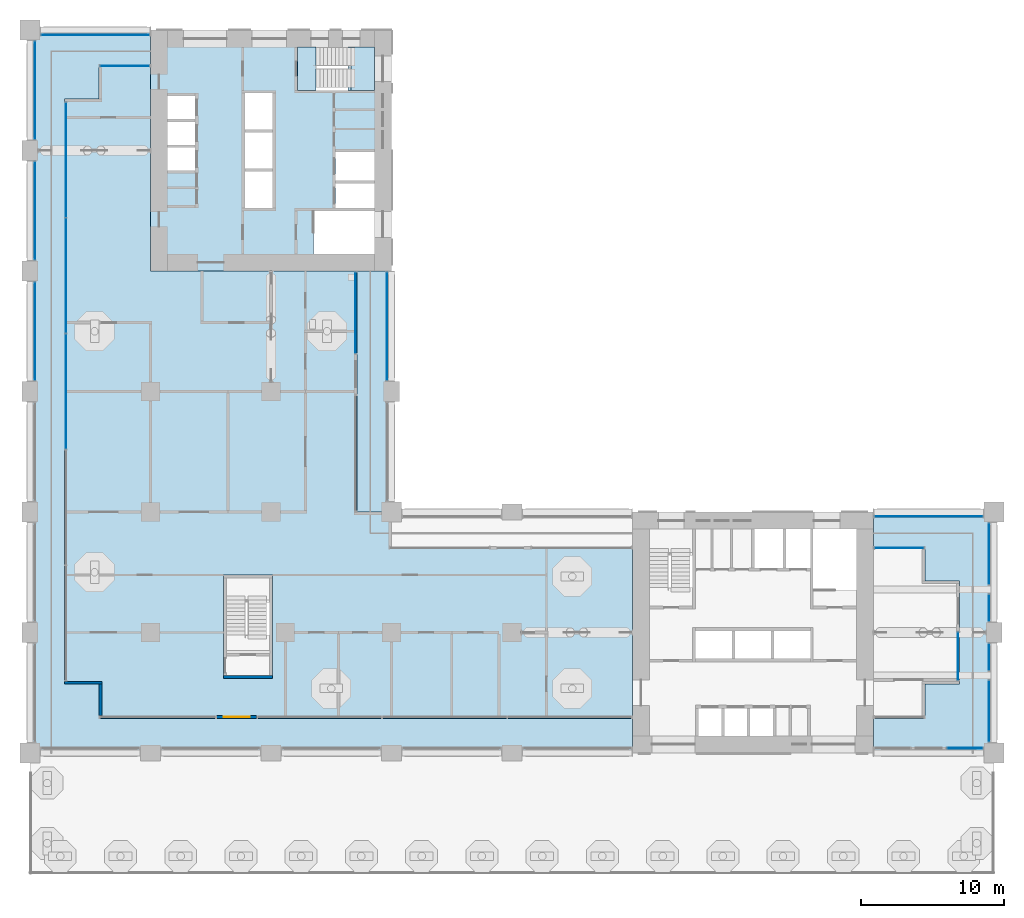
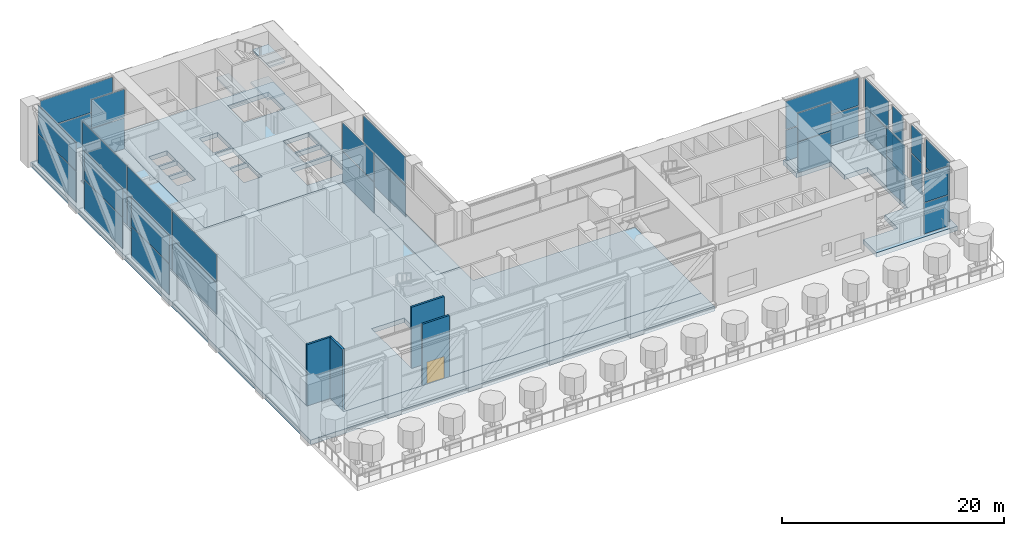
# One storey, part 9 of 28: 36 plates, 8 slabs, 4 walls, 1 door, 1 opening, 17 elements without a shape of their own.
"""IFC4 building model written with IfcOpenShell, lengths in metres."""

from ifc_helpers import new_model, si_unit, direction, frame, frame_2d, origin, origin_2d, place, context, subcontext, project, spatial, polyline, rectangle, outline, extrude, material, layer, layer_set, type_object, element, fill, aggregate, save


model = new_model("IFC4")

# Units and contexts
model_context = context("Model", 3, precision=1e-05, world=origin(), true_north=direction((0.0, 1.0)))
body_context = subcontext(model_context, "Body", "Model", "MODEL_VIEW")
ifc_project = project(units=[si_unit("LENGTHUNIT", "METRE"), si_unit("AREAUNIT", "SQUARE_METRE"), si_unit("VOLUMEUNIT", "CUBIC_METRE"), si_unit("PLANEANGLEUNIT", "RADIAN"), si_unit("MASSUNIT", "GRAM", prefix="KILO")], contexts=[model_context])

# Site, building, storey
site_placement = place(None, origin())
site = spatial("IfcSite", under=ifc_project, at=site_placement, CompositionType="ELEMENT")
building_placement = place(site_placement, origin())
building = spatial("IfcBuilding", under=site, at=building_placement, Name="Vermilion Gate Residences", CompositionType="ELEMENT")
storey_placement = place(building_placement, frame((0.0, 0.0, 74.199951171875)))
storey = spatial("IfcBuildingStorey", under=building, at=storey_placement, Name="L18", CompositionType="ELEMENT", Elevation=74.199951171875)

# Slabs
ifc_material_1 = material(Name="Concrete C50", Category="concrete")
ifc_layer_1 = layer(ifc_material_1, 0.5)
ifc_layer_set_1 = layer_set([ifc_layer_1], Name="RC CORE FLOOR SLAB 500 C50")
slab_type_1 = type_object("IfcSlabType", Name="RC CORE FLOOR SLAB 500 C50", PredefinedType="FLOOR", material=ifc_layer_set_1)
slab_1_placement = place(storey_placement, frame((0.0, 0.0, -0.5)))
element("IfcSlab", 1, at=slab_1_placement, inside=storey, type_object=slab_type_1, Name="Core floor slab B18", PredefinedType="FLOOR", context=body_context, shape_type="SweptSolid", body=[
    extrude(outline(polyline([(8.39990234375, 42.0), (25.199951171875, 42.0), (25.199951171875, 58.800048828125), (8.39990234375, 58.800048828125), (8.39990234375, 42.0)]), holes=[polyline([(19.75, 46.199951171875), (24.0, 46.199951171875), (24.0, 43.199951171875), (19.75, 43.199951171875), (19.75, 46.199951171875)]), polyline([(21.300048828125, 48.10009765625), (24.0, 48.10009765625), (24.0, 46.39990234375), (21.300048828125, 46.39990234375), (21.300048828125, 48.10009765625)]), polyline([(15.0, 48.933349609375), (16.89990234375, 48.933349609375), (16.89990234375, 46.39990234375), (15.0, 46.39990234375), (15.0, 48.933349609375)]), polyline([(24.0, 50.300048828125), (24.0, 48.300048828125), (21.300048828125, 48.300048828125), (21.300048828125, 50.300048828125), (24.0, 50.300048828125)]), polyline([(11.5, 50.60009765625), (11.5, 49.0), (9.60009765625, 49.0), (9.60009765625, 50.60009765625), (11.5, 50.60009765625)]), polyline([(15.0, 51.666748046875), (16.89990234375, 51.666748046875), (16.89990234375, 49.13330078125), (15.0, 49.13330078125), (15.0, 51.666748046875)]), polyline([(9.60009765625, 52.39990234375), (11.5, 52.39990234375), (11.5, 50.800048828125), (9.60009765625, 50.800048828125), (9.60009765625, 52.39990234375)]), polyline([(15.0, 54.39990234375), (16.89990234375, 54.39990234375), (16.89990234375, 51.86669921875), (15.0, 51.86669921875), (15.0, 54.39990234375)]), polyline([(11.5, 54.199951171875), (11.5, 52.60009765625), (9.60009765625, 52.60009765625), (9.60009765625, 54.199951171875), (11.5, 54.199951171875)]), polyline([(24.0, 57.60009765625), (24.0, 54.60009765625), (19.75, 54.60009765625), (19.75, 57.60009765625), (24.0, 57.60009765625)])]), origin(), (0.0, 0.0, 1.0), 0.5),
])
ifc_material_2 = material(Name="Concrete C60 red-oxide pigmented", Category="concrete")
ifc_layer_2 = layer(ifc_material_2, 0.5)
ifc_layer_set_2 = layer_set([ifc_layer_2], Name="RC LOGGIA SLAB 500 C60")
slab_type_2 = type_object("IfcSlabType", Name="RC LOGGIA SLAB 500 C60", PredefinedType="FLOOR", material=ifc_layer_set_2)
slab_2_placement = place(storey_placement, frame((0.0, 0.0, -0.5)))
element("IfcSlab", 2, at=slab_2_placement, inside=storey, type_object=slab_type_2, Name="Loggia slab L18", PredefinedType="FLOOR", context=body_context, shape_type="SweptSolid", body=[
    extrude(outline(polyline([(0.0, 58.800048828125), (0.0, 8.39990234375), (42.0, 8.39990234375), (42.0, 10.800048828125), (4.800048828125, 10.800048828125), (4.800048828125, 13.199951171875), (2.39990234375, 13.199951171875), (2.39990234375, 54.0), (4.800048828125, 54.0), (4.800048828125, 56.39990234375), (8.39990234375, 56.39990234375), (8.39990234375, 58.800048828125), (0.0, 58.800048828125)])), origin(), (0.0, 0.0, 1.0), 0.5),
])
slab_3_placement = place(storey_placement, frame((0.0, 0.0, -0.5)))
element("IfcSlab", 3, at=slab_3_placement, inside=storey, type_object=slab_type_2, Name="Loggia slab L18", PredefinedType="FLOOR", context=body_context, shape_type="SweptSolid", body=[
    extrude(outline(polyline([(64.800048828125, 20.39990234375), (64.800048828125, 13.199951171875), (62.39990234375, 13.199951171875), (62.39990234375, 10.800048828125), (58.800048828125, 10.800048828125), (58.800048828125, 8.39990234375), (67.199951171875, 8.39990234375), (67.199951171875, 25.199951171875), (58.800048828125, 25.199951171875), (58.800048828125, 22.800048828125), (62.39990234375, 22.800048828125), (62.39990234375, 20.39990234375), (64.800048828125, 20.39990234375)])), origin(), (0.0, 0.0, 1.0), 0.5),
])
slab_4_placement = place(storey_placement, frame((0.0, 0.0, -0.5)))
element("IfcSlab", 4, at=slab_4_placement, inside=storey, type_object=slab_type_2, Name="Loggia slab L18", PredefinedType="FLOOR", context=body_context, shape_type="SweptSolid", body=[
    extrude(outline(polyline([(25.199951171875, 25.199951171875), (25.199951171875, 42.0), (22.800048828125, 42.0), (22.800048828125, 25.199951171875), (25.199951171875, 25.199951171875)])), origin(), (0.0, 0.0, 1.0), 0.5),
])
ifc_material_3 = material(Name="Concrete C60", Category="concrete")
ifc_layer_3 = layer(ifc_material_3, 0.5)
ifc_layer_set_3 = layer_set([ifc_layer_3], Name="RC SKY FLOOR SLAB 500 C60")
slab_type_3 = type_object("IfcSlabType", Name="RC SKY FLOOR SLAB 500 C60", PredefinedType="FLOOR", material=ifc_layer_set_3)
slab_5_placement = place(storey_placement, frame((0.0, 0.0, -0.5)))
element("IfcSlab", 5, at=slab_5_placement, inside=storey, type_object=slab_type_3, Name="Floor slab L18", PredefinedType="FLOOR", context=body_context, shape_type="SweptSolid", body=[
    extrude(outline(polyline([(22.800048828125, 25.199951171875), (22.800048828125, 42.0), (8.39990234375, 42.0), (8.39990234375, 56.39990234375), (4.800048828125, 56.39990234375), (4.800048828125, 54.0), (2.39990234375, 54.0), (2.39990234375, 13.199951171875), (4.800048828125, 13.199951171875), (4.800048828125, 10.800048828125), (42.0, 10.800048828125), (42.0, 22.800048828125), (25.199951171875, 22.800048828125), (25.199951171875, 25.199951171875), (22.800048828125, 25.199951171875)]), holes=[polyline([(13.5, 13.60009765625), (13.5, 20.800048828125), (16.89990234375, 20.800048828125), (16.89990234375, 13.60009765625), (13.5, 13.60009765625)])]), origin(), (0.0, 0.0, 1.0), 0.5),
])

# Curtain wall, plates
ifc_material_4 = material(Name="Aluminium and glass", Category="aluminium")
curtain_wall_type = type_object("IfcCurtainWallType", Name="SKY GARDEN GLAZING CURTAIN WALL", PredefinedType="NOTDEFINED", material=ifc_material_4)
curtain_wall_1_placement = place(storey_placement, origin())
curtain_wall_1 = element("IfcCurtainWall", 6, at=curtain_wall_1_placement, inside=storey, type_object=curtain_wall_type, Name="Sky Garden Glazing 0", PredefinedType="NOTDEFINED")
ifc_material_5 = material(Name="Clear laminated glass", Category="glass")
ifc_layer_4 = layer(ifc_material_5, 0.035888671875)
ifc_layer_set_4 = layer_set([ifc_layer_4], Name="SKY GARDEN GLAZING GLASS PANEL 36")
plate_type = type_object("IfcPlateType", Name="SKY GARDEN GLAZING GLASS PANEL 36", PredefinedType="CURTAIN_PANEL", material=ifc_layer_set_4)
plate_1_placement = place(storey_placement, frame((6.60009765625, 56.300048828125, 0.080078125), z_axis=(0.0, 0.0, 1.0), x_axis=(-1.0, 0.0, 0.0)))
plate_1 = element("IfcPlate", 7, at=plate_1_placement, type_object=plate_type, Name="ECW3 panel 1.1", PredefinedType="CURTAIN_PANEL", context=body_context, shape_type="SweptSolid", body=[
    extrude(rectangle(XDim=3.43994140625, YDim=0.035888671875, at=origin_2d()), origin(), (0.0, 0.0, 1.0), 3.3798828125),
])
plate_2_placement = place(storey_placement, frame((6.60009765625, 56.300048828125, 3.5400390625), z_axis=(0.0, 0.0, 1.0), x_axis=(-1.0, 0.0, 0.0)))
plate_2 = element("IfcPlate", 8, at=plate_2_placement, type_object=plate_type, Name="ECW3 panel 1.2", PredefinedType="CURTAIN_PANEL", context=body_context, shape_type="SweptSolid", body=[
    extrude(rectangle(XDim=3.43994140625, YDim=0.035888671875, at=origin_2d()), origin(), (0.0, 0.0, 1.0), 3.10009765625),
])
aggregate(curtain_wall_1, [plate_1, plate_2])

curtain_wall_2_placement = place(storey_placement, origin())
curtain_wall_2 = element("IfcCurtainWall", 9, at=curtain_wall_2_placement, inside=storey, type_object=curtain_wall_type, Name="Sky Garden Glazing 30", PredefinedType="NOTDEFINED")
plate_3_placement = place(storey_placement, frame((2.5, 49.739990234375, 0.080078125), z_axis=(0.0, 0.0, 1.0), x_axis=(0.0, -1.0, 0.0)))
plate_3 = element("IfcPlate", 10, at=plate_3_placement, type_object=plate_type, Name="ECW3 panel 1.1", PredefinedType="CURTAIN_PANEL", context=body_context, shape_type="SweptSolid", body=[
    extrude(rectangle(XDim=7.9599609375, YDim=0.035888671875, at=origin_2d()), origin(), (0.0, 0.0, 1.0), 3.3798828125),
])
plate_4_placement = place(storey_placement, frame((2.5, 49.739990234375, 3.5400390625), z_axis=(0.0, 0.0, 1.0), x_axis=(0.0, -1.0, 0.0)))
plate_4 = element("IfcPlate", 11, at=plate_4_placement, type_object=plate_type, Name="ECW3 panel 1.2", PredefinedType="CURTAIN_PANEL", context=body_context, shape_type="SweptSolid", body=[
    extrude(rectangle(XDim=7.9599609375, YDim=0.035888671875, at=origin_2d()), origin(), (0.0, 0.0, 1.0), 3.10009765625),
])
plate_5_placement = place(storey_placement, frame((2.5, 41.679931640625, 0.080078125), z_axis=(0.0, 0.0, 1.0), x_axis=(0.0, -1.0, 0.0)))
plate_5 = element("IfcPlate", 12, at=plate_5_placement, type_object=plate_type, Name="ECW3 panel 2.1", PredefinedType="CURTAIN_PANEL", context=body_context, shape_type="SweptSolid", body=[
    extrude(rectangle(XDim=8.0, YDim=0.035888671875, at=origin_2d()), origin(), (0.0, 0.0, 1.0), 3.3798828125),
])
plate_6_placement = place(storey_placement, frame((2.5, 41.679931640625, 3.5400390625), z_axis=(0.0, 0.0, 1.0), x_axis=(0.0, -1.0, 0.0)))
plate_6 = element("IfcPlate", 13, at=plate_6_placement, type_object=plate_type, Name="ECW3 panel 2.2", PredefinedType="CURTAIN_PANEL", context=body_context, shape_type="SweptSolid", body=[
    extrude(rectangle(XDim=8.0, YDim=0.035888671875, at=origin_2d()), origin(), (0.0, 0.0, 1.0), 3.10009765625),
])
plate_7_placement = place(storey_placement, frame((2.5, 33.60009765625, 0.080078125), z_axis=(0.0, 0.0, 1.0), x_axis=(0.0, -1.0, 0.0)))
plate_7 = element("IfcPlate", 14, at=plate_7_placement, type_object=plate_type, Name="ECW3 panel 3.1", PredefinedType="CURTAIN_PANEL", context=body_context, shape_type="SweptSolid", body=[
    extrude(rectangle(XDim=8.0, YDim=0.035888671875, at=origin_2d()), origin(), (0.0, 0.0, 1.0), 3.3798828125),
])
plate_8_placement = place(storey_placement, frame((2.5, 33.60009765625, 3.5400390625), z_axis=(0.0, 0.0, 1.0), x_axis=(0.0, -1.0, 0.0)))
plate_8 = element("IfcPlate", 15, at=plate_8_placement, type_object=plate_type, Name="ECW3 panel 3.2", PredefinedType="CURTAIN_PANEL", context=body_context, shape_type="SweptSolid", body=[
    extrude(rectangle(XDim=8.0, YDim=0.035888671875, at=origin_2d()), origin(), (0.0, 0.0, 1.0), 3.10009765625),
])
aggregate(curtain_wall_2, [plate_3, plate_4, plate_5, plate_6, plate_7, plate_8])

curtain_wall_3_placement = place(storey_placement, origin())
curtain_wall_3 = element("IfcCurtainWall", 16, at=curtain_wall_3_placement, inside=storey, type_object=curtain_wall_type, Name="Sky Garden Glazing 100", PredefinedType="NOTDEFINED")
plate_9_placement = place(storey_placement, frame((64.699951171875, 15.14990234375, 0.080078125), z_axis=(0.0, 0.0, 1.0), x_axis=(0.0, 1.0, 0.0)))
plate_9 = element("IfcPlate", 17, at=plate_9_placement, type_object=plate_type, Name="ECW3 panel 1.1", PredefinedType="CURTAIN_PANEL", context=body_context, shape_type="SweptSolid", body=[
    extrude(rectangle(XDim=3.340087890625, YDim=0.035888671875, at=origin_2d()), origin(), (0.0, 0.0, 1.0), 3.3798828125),
])
plate_10_placement = place(storey_placement, frame((64.699951171875, 15.14990234375, 3.5400390625), z_axis=(0.0, 0.0, 1.0), x_axis=(0.0, 1.0, 0.0)))
plate_10 = element("IfcPlate", 18, at=plate_10_placement, type_object=plate_type, Name="ECW3 panel 1.2", PredefinedType="CURTAIN_PANEL", context=body_context, shape_type="SweptSolid", body=[
    extrude(rectangle(XDim=3.340087890625, YDim=0.035888671875, at=origin_2d()), origin(), (0.0, 0.0, 1.0), 3.10009765625),
])
aggregate(curtain_wall_3, [plate_9, plate_10])

curtain_wall_4_placement = place(storey_placement, origin())
curtain_wall_4 = element("IfcCurtainWall", 19, at=curtain_wall_4_placement, inside=storey, type_object=curtain_wall_type, Name="Sky Garden Glazing 130", PredefinedType="NOTDEFINED")
plate_11_placement = place(storey_placement, frame((60.60009765625, 22.699951171875, 0.080078125), z_axis=(0.0, 0.0, 1.0), x_axis=(-1.0, 0.0, 0.0)))
plate_11 = element("IfcPlate", 20, at=plate_11_placement, type_object=plate_type, Name="ECW3 panel 1.1", PredefinedType="CURTAIN_PANEL", context=body_context, shape_type="SweptSolid", body=[
    extrude(rectangle(XDim=3.43994140625, YDim=0.035888671875, at=origin_2d()), origin(), (0.0, 0.0, 1.0), 3.3798828125),
])
plate_12_placement = place(storey_placement, frame((60.60009765625, 22.699951171875, 3.5400390625), z_axis=(0.0, 0.0, 1.0), x_axis=(-1.0, 0.0, 0.0)))
plate_12 = element("IfcPlate", 21, at=plate_12_placement, type_object=plate_type, Name="ECW3 panel 1.2", PredefinedType="CURTAIN_PANEL", context=body_context, shape_type="SweptSolid", body=[
    extrude(rectangle(XDim=3.43994140625, YDim=0.035888671875, at=origin_2d()), origin(), (0.0, 0.0, 1.0), 3.10009765625),
])
aggregate(curtain_wall_4, [plate_11, plate_12])

curtain_wall_5_placement = place(storey_placement, origin())
curtain_wall_5 = element("IfcCurtainWall", 22, at=curtain_wall_5_placement, inside=storey, type_object=curtain_wall_type, Name="Sky Garden Glazing 172", PredefinedType="NOTDEFINED")
plate_13_placement = place(storey_placement, frame((22.699951171875, 39.10009765625, 0.080078125), z_axis=(0.0, 0.0, 1.0), x_axis=(0.0, 1.0, 0.0)))
plate_13 = element("IfcPlate", 23, at=plate_13_placement, type_object=plate_type, Name="ECW3 panel 1.1", PredefinedType="CURTAIN_PANEL", context=body_context, shape_type="SweptSolid", body=[
    extrude(rectangle(XDim=5.639892578125, YDim=0.035888671875, at=origin_2d()), origin(), (0.0, 0.0, 1.0), 3.3798828125),
])
plate_14_placement = place(storey_placement, frame((22.699951171875, 39.10009765625, 3.5400390625), z_axis=(0.0, 0.0, 1.0), x_axis=(0.0, 1.0, 0.0)))
plate_14 = element("IfcPlate", 24, at=plate_14_placement, type_object=plate_type, Name="ECW3 panel 1.2", PredefinedType="CURTAIN_PANEL", context=body_context, shape_type="SweptSolid", body=[
    extrude(rectangle(XDim=5.639892578125, YDim=0.035888671875, at=origin_2d()), origin(), (0.0, 0.0, 1.0), 3.10009765625),
])
aggregate(curtain_wall_5, [plate_13, plate_14])

curtain_wall_6_placement = place(storey_placement, origin())
curtain_wall_6 = element("IfcCurtainWall", 25, at=curtain_wall_6_placement, inside=storey, type_object=curtain_wall_type, Name="Sky Garden Glazing 500", PredefinedType="NOTDEFINED")
plate_15_placement = place(storey_placement, frame((0.330078125, 54.60009765625, 0.080078125), z_axis=(0.0, 0.0, 1.0), x_axis=(0.0, -1.0, 0.0)))
plate_15 = element("IfcPlate", 26, at=plate_15_placement, type_object=plate_type, Name="ECW3 panel 1.1", PredefinedType="CURTAIN_PANEL", context=body_context, shape_type="SweptSolid", body=[
    extrude(rectangle(XDim=6.840087890625, YDim=0.035888671875, at=origin_2d()), origin(), (0.0, 0.0, 1.0), 3.3798828125),
])
plate_16_placement = place(storey_placement, frame((0.330078125, 54.60009765625, 3.5400390625), z_axis=(0.0, 0.0, 1.0), x_axis=(0.0, -1.0, 0.0)))
plate_16 = element("IfcPlate", 27, at=plate_16_placement, type_object=plate_type, Name="ECW3 panel 1.2", PredefinedType="CURTAIN_PANEL", context=body_context, shape_type="SweptSolid", body=[
    extrude(rectangle(XDim=6.840087890625, YDim=0.035888671875, at=origin_2d()), origin(), (0.0, 0.0, 1.0), 3.10009765625),
])
aggregate(curtain_wall_6, [plate_15, plate_16])

curtain_wall_7_placement = place(storey_placement, origin())
curtain_wall_7 = element("IfcCurtainWall", 28, at=curtain_wall_7_placement, inside=storey, type_object=curtain_wall_type, Name="Sky Garden Glazing 501", PredefinedType="NOTDEFINED")
plate_17_placement = place(storey_placement, frame((0.330078125, 46.199951171875, 0.080078125), z_axis=(0.0, 0.0, 1.0), x_axis=(0.0, -1.0, 0.0)))
plate_17 = element("IfcPlate", 29, at=plate_17_placement, type_object=plate_type, Name="ECW3 panel 1.1", PredefinedType="CURTAIN_PANEL", context=body_context, shape_type="SweptSolid", body=[
    extrude(rectangle(XDim=6.840087890625, YDim=0.035888671875, at=origin_2d()), origin(), (0.0, 0.0, 1.0), 3.3798828125),
])
plate_18_placement = place(storey_placement, frame((0.330078125, 46.199951171875, 3.5400390625), z_axis=(0.0, 0.0, 1.0), x_axis=(0.0, -1.0, 0.0)))
plate_18 = element("IfcPlate", 30, at=plate_18_placement, type_object=plate_type, Name="ECW3 panel 1.2", PredefinedType="CURTAIN_PANEL", context=body_context, shape_type="SweptSolid", body=[
    extrude(rectangle(XDim=6.840087890625, YDim=0.035888671875, at=origin_2d()), origin(), (0.0, 0.0, 1.0), 3.10009765625),
])
aggregate(curtain_wall_7, [plate_17, plate_18])

curtain_wall_8_placement = place(storey_placement, origin())
curtain_wall_8 = element("IfcCurtainWall", 31, at=curtain_wall_8_placement, inside=storey, type_object=curtain_wall_type, Name="Sky Garden Glazing 502", PredefinedType="NOTDEFINED")
plate_19_placement = place(storey_placement, frame((0.330078125, 37.800048828125, 0.080078125), z_axis=(0.0, 0.0, 1.0), x_axis=(0.0, -1.0, 0.0)))
plate_19 = element("IfcPlate", 32, at=plate_19_placement, type_object=plate_type, Name="ECW3 panel 1.1", PredefinedType="CURTAIN_PANEL", context=body_context, shape_type="SweptSolid", body=[
    extrude(rectangle(XDim=6.840087890625, YDim=0.035888671875, at=origin_2d()), origin(), (0.0, 0.0, 1.0), 3.3798828125),
])
plate_20_placement = place(storey_placement, frame((0.330078125, 37.800048828125, 3.5400390625), z_axis=(0.0, 0.0, 1.0), x_axis=(0.0, -1.0, 0.0)))
plate_20 = element("IfcPlate", 33, at=plate_20_placement, type_object=plate_type, Name="ECW3 panel 1.2", PredefinedType="CURTAIN_PANEL", context=body_context, shape_type="SweptSolid", body=[
    extrude(rectangle(XDim=6.840087890625, YDim=0.035888671875, at=origin_2d()), origin(), (0.0, 0.0, 1.0), 3.10009765625),
])
aggregate(curtain_wall_8, [plate_19, plate_20])

curtain_wall_9_placement = place(storey_placement, origin())
curtain_wall_9 = element("IfcCurtainWall", 34, at=curtain_wall_9_placement, inside=storey, type_object=curtain_wall_type, Name="Sky Garden Glazing 812", PredefinedType="NOTDEFINED")
plate_21_placement = place(storey_placement, frame((65.175048828125, 8.72998046875, 0.080078125), z_axis=(0.0, 0.0, 1.0), x_axis=(1.0, 0.0, 0.0)))
plate_21 = element("IfcPlate", 35, at=plate_21_placement, type_object=plate_type, Name="ECW3 panel 1.1", PredefinedType="CURTAIN_PANEL", context=body_context, shape_type="SweptSolid", body=[
    extrude(rectangle(XDim=2.489990234375, YDim=0.035888671875, at=origin_2d()), origin(), (0.0, 0.0, 1.0), 3.3798828125),
])
plate_22_placement = place(storey_placement, frame((65.175048828125, 8.72998046875, 3.5400390625), z_axis=(0.0, 0.0, 1.0), x_axis=(1.0, 0.0, 0.0)))
plate_22 = element("IfcPlate", 36, at=plate_22_placement, type_object=plate_type, Name="ECW3 panel 1.2", PredefinedType="CURTAIN_PANEL", context=body_context, shape_type="SweptSolid", body=[
    extrude(rectangle(XDim=2.489990234375, YDim=0.035888671875, at=origin_2d()), origin(), (0.0, 0.0, 1.0), 3.10009765625),
])
aggregate(curtain_wall_9, [plate_21, plate_22])

curtain_wall_10_placement = place(storey_placement, origin())
curtain_wall_10 = element("IfcCurtainWall", 37, at=curtain_wall_10_placement, inside=storey, type_object=curtain_wall_type, Name="Sky Garden Glazing 512", PredefinedType="NOTDEFINED")
plate_23_placement = place(storey_placement, frame((66.8701171875, 11.3125, 0.080078125), z_axis=(0.0, 0.0, 1.0), x_axis=(0.0, 1.0, 0.0)))
plate_23 = element("IfcPlate", 38, at=plate_23_placement, type_object=plate_type, Name="ECW3 panel 1.1", PredefinedType="CURTAIN_PANEL", context=body_context, shape_type="SweptSolid", body=[
    extrude(rectangle(XDim=4.264892578125, YDim=0.035888671875, at=origin_2d()), origin(), (0.0, 0.0, 1.0), 3.3798828125),
])
plate_24_placement = place(storey_placement, frame((66.8701171875, 11.3125, 3.5400390625), z_axis=(0.0, 0.0, 1.0), x_axis=(0.0, 1.0, 0.0)))
plate_24 = element("IfcPlate", 39, at=plate_24_placement, type_object=plate_type, Name="ECW3 panel 1.2", PredefinedType="CURTAIN_PANEL", context=body_context, shape_type="SweptSolid", body=[
    extrude(rectangle(XDim=4.264892578125, YDim=0.035888671875, at=origin_2d()), origin(), (0.0, 0.0, 1.0), 3.10009765625),
])
aggregate(curtain_wall_10, [plate_23, plate_24])

curtain_wall_11_placement = place(storey_placement, origin())
curtain_wall_11 = element("IfcCurtainWall", 40, at=curtain_wall_11_placement, inside=storey, type_object=curtain_wall_type, Name="Sky Garden Glazing 513", PredefinedType="NOTDEFINED")
plate_25_placement = place(storey_placement, frame((66.8701171875, 15.08740234375, 0.080078125), z_axis=(0.0, 0.0, 1.0), x_axis=(0.0, 1.0, 0.0)))
plate_25 = element("IfcPlate", 41, at=plate_25_placement, type_object=plate_type, Name="ECW3 panel 1.1", PredefinedType="CURTAIN_PANEL", context=body_context, shape_type="SweptSolid", body=[
    extrude(rectangle(XDim=1.864990234375, YDim=0.035888671875, at=origin_2d()), origin(), (0.0, 0.0, 1.0), 3.3798828125),
])
plate_26_placement = place(storey_placement, frame((66.8701171875, 15.08740234375, 3.5400390625), z_axis=(0.0, 0.0, 1.0), x_axis=(0.0, 1.0, 0.0)))
plate_26 = element("IfcPlate", 42, at=plate_26_placement, type_object=plate_type, Name="ECW3 panel 1.2", PredefinedType="CURTAIN_PANEL", context=body_context, shape_type="SweptSolid", body=[
    extrude(rectangle(XDim=1.864990234375, YDim=0.035888671875, at=origin_2d()), origin(), (0.0, 0.0, 1.0), 3.10009765625),
])
aggregate(curtain_wall_11, [plate_25, plate_26])

curtain_wall_12_placement = place(storey_placement, origin())
curtain_wall_12 = element("IfcCurtainWall", 43, at=curtain_wall_12_placement, inside=storey, type_object=curtain_wall_type, Name="Sky Garden Glazing 514", PredefinedType="NOTDEFINED")
plate_27_placement = place(storey_placement, frame((66.8701171875, 18.512451171875, 0.080078125), z_axis=(0.0, 0.0, 1.0), x_axis=(0.0, 1.0, 0.0)))
plate_27 = element("IfcPlate", 44, at=plate_27_placement, type_object=plate_type, Name="ECW3 panel 1.1", PredefinedType="CURTAIN_PANEL", context=body_context, shape_type="SweptSolid", body=[
    extrude(rectangle(XDim=1.864990234375, YDim=0.035888671875, at=origin_2d()), origin(), (0.0, 0.0, 1.0), 3.3798828125),
])
plate_28_placement = place(storey_placement, frame((66.8701171875, 18.512451171875, 3.5400390625), z_axis=(0.0, 0.0, 1.0), x_axis=(0.0, 1.0, 0.0)))
plate_28 = element("IfcPlate", 45, at=plate_28_placement, type_object=plate_type, Name="ECW3 panel 1.2", PredefinedType="CURTAIN_PANEL", context=body_context, shape_type="SweptSolid", body=[
    extrude(rectangle(XDim=1.864990234375, YDim=0.035888671875, at=origin_2d()), origin(), (0.0, 0.0, 1.0), 3.10009765625),
])
aggregate(curtain_wall_12, [plate_27, plate_28])

curtain_wall_13_placement = place(storey_placement, origin())
curtain_wall_13 = element("IfcCurtainWall", 46, at=curtain_wall_13_placement, inside=storey, type_object=curtain_wall_type, Name="Sky Garden Glazing 515", PredefinedType="NOTDEFINED")
plate_29_placement = place(storey_placement, frame((66.8701171875, 22.28759765625, 0.080078125), z_axis=(0.0, 0.0, 1.0), x_axis=(0.0, 1.0, 0.0)))
plate_29 = element("IfcPlate", 47, at=plate_29_placement, type_object=plate_type, Name="ECW3 panel 1.1", PredefinedType="CURTAIN_PANEL", context=body_context, shape_type="SweptSolid", body=[
    extrude(rectangle(XDim=4.264892578125, YDim=0.035888671875, at=origin_2d()), origin(), (0.0, 0.0, 1.0), 3.3798828125),
])
plate_30_placement = place(storey_placement, frame((66.8701171875, 22.28759765625, 3.5400390625), z_axis=(0.0, 0.0, 1.0), x_axis=(0.0, 1.0, 0.0)))
plate_30 = element("IfcPlate", 48, at=plate_30_placement, type_object=plate_type, Name="ECW3 panel 1.2", PredefinedType="CURTAIN_PANEL", context=body_context, shape_type="SweptSolid", body=[
    extrude(rectangle(XDim=4.264892578125, YDim=0.035888671875, at=origin_2d()), origin(), (0.0, 0.0, 1.0), 3.10009765625),
])
aggregate(curtain_wall_13, [plate_29, plate_30])

curtain_wall_14_placement = place(storey_placement, origin())
curtain_wall_14 = element("IfcCurtainWall", 49, at=curtain_wall_14_placement, inside=storey, type_object=curtain_wall_type, Name="Sky Garden Glazing 516", PredefinedType="NOTDEFINED")
plate_31_placement = place(storey_placement, frame((62.64990234375, 24.8701171875, 0.080078125), z_axis=(0.0, 0.0, 1.0), x_axis=(-1.0, 0.0, 0.0)))
plate_31 = element("IfcPlate", 50, at=plate_31_placement, type_object=plate_type, Name="ECW3 panel 1.1", PredefinedType="CURTAIN_PANEL", context=body_context, shape_type="SweptSolid", body=[
    extrude(rectangle(XDim=7.5400390625, YDim=0.035888671875, at=origin_2d()), origin(), (0.0, 0.0, 1.0), 3.3798828125),
])
plate_32_placement = place(storey_placement, frame((62.64990234375, 24.8701171875, 3.5400390625), z_axis=(0.0, 0.0, 1.0), x_axis=(-1.0, 0.0, 0.0)))
plate_32 = element("IfcPlate", 51, at=plate_32_placement, type_object=plate_type, Name="ECW3 panel 1.2", PredefinedType="CURTAIN_PANEL", context=body_context, shape_type="SweptSolid", body=[
    extrude(rectangle(XDim=7.5400390625, YDim=0.035888671875, at=origin_2d()), origin(), (0.0, 0.0, 1.0), 3.10009765625),
])
aggregate(curtain_wall_14, [plate_31, plate_32])

curtain_wall_15_placement = place(storey_placement, origin())
curtain_wall_15 = element("IfcCurtainWall", 52, at=curtain_wall_15_placement, inside=storey, type_object=curtain_wall_type, Name="Sky Garden Glazing 520", PredefinedType="NOTDEFINED")
plate_33_placement = place(storey_placement, frame((24.8701171875, 38.14990234375, 0.080078125), z_axis=(0.0, 0.0, 1.0), x_axis=(0.0, 1.0, 0.0)))
plate_33 = element("IfcPlate", 53, at=plate_33_placement, type_object=plate_type, Name="ECW3 panel 1.1", PredefinedType="CURTAIN_PANEL", context=body_context, shape_type="SweptSolid", body=[
    extrude(rectangle(XDim=7.5400390625, YDim=0.035888671875, at=origin_2d()), origin(), (0.0, 0.0, 1.0), 3.3798828125),
])
plate_34_placement = place(storey_placement, frame((24.8701171875, 38.14990234375, 3.5400390625), z_axis=(0.0, 0.0, 1.0), x_axis=(0.0, 1.0, 0.0)))
plate_34 = element("IfcPlate", 54, at=plate_34_placement, type_object=plate_type, Name="ECW3 panel 1.2", PredefinedType="CURTAIN_PANEL", context=body_context, shape_type="SweptSolid", body=[
    extrude(rectangle(XDim=7.5400390625, YDim=0.035888671875, at=origin_2d()), origin(), (0.0, 0.0, 1.0), 3.10009765625),
])
aggregate(curtain_wall_15, [plate_33, plate_34])

curtain_wall_16_placement = place(storey_placement, origin())
curtain_wall_16 = element("IfcCurtainWall", 55, at=curtain_wall_16_placement, inside=storey, type_object=curtain_wall_type, Name="Sky Garden Glazing 521", PredefinedType="NOTDEFINED")
plate_35_placement = place(storey_placement, frame((4.550048828125, 58.469970703125, 0.080078125), z_axis=(0.0, 0.0, 1.0), x_axis=(-1.0, 0.0, 0.0)))
plate_35 = element("IfcPlate", 56, at=plate_35_placement, type_object=plate_type, Name="ECW3 panel 1.1", PredefinedType="CURTAIN_PANEL", context=body_context, shape_type="SweptSolid", body=[
    extrude(rectangle(XDim=7.5400390625, YDim=0.035888671875, at=origin_2d()), origin(), (0.0, 0.0, 1.0), 3.3798828125),
])
plate_36_placement = place(storey_placement, frame((4.550048828125, 58.469970703125, 3.5400390625), z_axis=(0.0, 0.0, 1.0), x_axis=(-1.0, 0.0, 0.0)))
plate_36 = element("IfcPlate", 57, at=plate_36_placement, type_object=plate_type, Name="ECW3 panel 1.2", PredefinedType="CURTAIN_PANEL", context=body_context, shape_type="SweptSolid", body=[
    extrude(rectangle(XDim=7.5400390625, YDim=0.035888671875, at=origin_2d()), origin(), (0.0, 0.0, 1.0), 3.10009765625),
])
aggregate(curtain_wall_16, [plate_35, plate_36])

# Stair, slabs
ifc_material_6 = material(Name="Concrete C50", Category="concrete")
stair_type = type_object("IfcStairType", Name="SPECIAL ESCAPE STAIR 1300", PredefinedType="HALF_TURN_STAIR", material=ifc_material_6)
stair_placement = place(storey_placement, origin())
stair = element("IfcStair", 58, at=stair_placement, inside=storey, type_object=stair_type, Name="Special escape stair STB1-18", PredefinedType="HALF_TURN_STAIR")
ifc_material_7 = material(Name="Concrete C50", Category="concrete")
ifc_layer_5 = layer(ifc_material_7, 0.199951171875)
ifc_layer_set_5 = layer_set([ifc_layer_5], Name="STAIR LANDING 200 C50")
slab_type_4 = type_object("IfcSlabType", Name="STAIR LANDING 200 C50", PredefinedType="LANDING", material=ifc_layer_set_5)
slab_6_placement = place(storey_placement, frame((0.0, 0.0, 1.550048828125)))
slab_6 = element("IfcSlab", 59, at=slab_6_placement, type_object=slab_type_4, Name="STB1-18 landing 1", PredefinedType="LANDING", context=body_context, shape_type="SweptSolid", body=[
    extrude(outline(polyline([(24.02001953125, 54.580078125), (24.02001953125, 57.6201171875), (22.179931640625, 57.6201171875), (22.179931640625, 54.580078125), (24.02001953125, 54.580078125)])), origin(), (0.0, 0.0, 1.0), 0.199951171875),
])
slab_7_placement = place(storey_placement, frame((0.0, 0.0, 3.300048828125)))
slab_7 = element("IfcSlab", 60, at=slab_7_placement, type_object=slab_type_4, Name="STB1-18 landing 2", PredefinedType="LANDING", context=body_context, shape_type="SweptSolid", body=[
    extrude(outline(polyline([(19.929931640625, 54.580078125), (19.929931640625, 57.6201171875), (18.6298828125, 57.6201171875), (18.6298828125, 54.580078125), (19.929931640625, 54.580078125)])), origin(), (0.0, 0.0, 1.0), 0.199951171875),
])
slab_8_placement = place(storey_placement, frame((0.0, 0.0, 5.050048828125)))
slab_8 = element("IfcSlab", 61, at=slab_8_placement, type_object=slab_type_4, Name="STB1-18 landing 3", PredefinedType="LANDING", context=body_context, shape_type="SweptSolid", body=[
    extrude(outline(polyline([(24.02001953125, 54.580078125), (24.02001953125, 57.6201171875), (22.360107421875, 57.6201171875), (22.360107421875, 54.580078125), (24.02001953125, 54.580078125)])), origin(), (0.0, 0.0, 1.0), 0.199951171875),
])
aggregate(stair, [slab_6, slab_7, slab_8])

# Walls
ifc_material_8 = material(Name="Insulated steel stud wall with terracotta rainscreen", Category="masonry")
ifc_layer_6 = layer(ifc_material_8, 0.199951171875)
ifc_layer_set_6 = layer_set([ifc_layer_6], Name="EXTERNAL WALL 200 TERRACOTTA RAINSCREEN")
wall_type_1 = type_object("IfcWallType", Name="EXTERNAL WALL 200 TERRACOTTA RAINSCREEN", PredefinedType="SOLIDWALL", material=ifc_layer_set_6)
wall_1_placement = place(storey_placement, frame((2.39990234375, 13.300048828125, 0.0), z_axis=(0.0, 0.0, 1.0), x_axis=(1.0, 0.0, 0.0)))
element("IfcWall", 62, at=wall_1_placement, inside=storey, type_object=wall_type_1, Name="External wall", PredefinedType="SOLIDWALL", context=body_context, shape_type="SweptSolid", body=[
    extrude(rectangle(XDim=2.60009765625, YDim=0.199951171875, at=frame_2d((1.300048828125, 0.0))), origin(), (0.0, 0.0, 1.0), 6.719970703125),
])
wall_2_placement = place(storey_placement, frame((4.89990234375, 13.199951171875, 0.0), z_axis=(0.0, 0.0, 1.0), x_axis=(0.0, -1.0, 0.0)))
element("IfcWall", 63, at=wall_2_placement, inside=storey, type_object=wall_type_1, Name="External wall", PredefinedType="SOLIDWALL", context=body_context, shape_type="SweptSolid", body=[
    extrude(rectangle(XDim=2.199951171875, YDim=0.199951171875, at=frame_2d((1.10009765625, 0.0))), origin(), (0.0, 0.0, 1.0), 6.719970703125),
])

# Wall, opening, door
wall_3_placement = place(storey_placement, frame((13.0, 10.89990234375, 0.0), z_axis=(0.0, 0.0, 1.0), x_axis=(1.0, 0.0, 0.0)))
wall_3 = element("IfcWall", 64, at=wall_3_placement, inside=storey, type_object=wall_type_1, Name="External wall", PredefinedType="SOLIDWALL", context=body_context, shape_type="SweptSolid", body=[
    extrude(rectangle(XDim=2.800048828125, YDim=0.199951171875, at=frame_2d((1.39990234375, 0.0))), origin(), (0.0, 0.0, 1.0), 6.719970703125),
])
opening_placement = place(wall_3_placement, frame((0.5, 0.0, 0.0)))
opening = element("IfcOpeningElement", 65, at=opening_placement, cuts=wall_3, Name="Opening DE18001", PredefinedType="OPENING", context=body_context, shape_type="SweptSolid", body=[
    extrude(rectangle(XDim=1.800048828125, YDim=2.39990234375, at=frame_2d((0.89990234375, 1.199951171875))), frame((0.0, 0.10986328125, 0.0), z_axis=(0.0, -1.0, 0.0), x_axis=(1.0, 0.0, 0.0)), (0.0, 0.0, 1.0), 0.219970703125),
])
ifc_material_9 = material(Name="Aluminium and clear glass", Category="aluminium")
door_type = type_object("IfcDoorType", Name="GLAZED EXTERNAL DOOR 1800 X 2400", OperationType="DOUBLE_DOOR_SINGLE_SWING", PredefinedType="DOOR", material=ifc_material_9)
door_placement = place(opening_placement, frame((1.800048828125, 0.0, 0.0), z_axis=(0.0, 0.0, 1.0), x_axis=(-1.0, 0.0, 0.0)))
door = element("IfcDoor", 66, at=door_placement, inside=storey, type_object=door_type, Name="Terrace door", OperationType="DOUBLE_DOOR_SINGLE_SWING", OverallHeight=2.39990234375, OverallWidth=1.800048828125, PredefinedType="DOOR", context=body_context, shape_type="SweptSolid", body=[
    extrude(rectangle(XDim=1.800048828125, YDim=2.39990234375, at=frame_2d((0.89990234375, 1.199951171875))), frame((0.0, 0.02490234375, 0.0), z_axis=(0.0, -1.0, 0.0), x_axis=(1.0, 0.0, 0.0)), (0.0, 0.0, 1.0), 0.050048828125),
])
fill(opening, door)

# Wall
ifc_material_10 = material(Name="Concrete C60", Category="concrete")
ifc_layer_7 = layer(ifc_material_10, 0.199951171875)
ifc_layer_set_7 = layer_set([ifc_layer_7], Name="RC CORE INTERNAL WALL 200 C60")
wall_type_2 = type_object("IfcWallType", Name="RC CORE INTERNAL WALL 200 C60", PredefinedType="SHEAR", material=ifc_layer_set_7)
wall_4_placement = place(storey_placement, frame((13.5, 13.699951171875, 0.0), z_axis=(0.0, 0.0, 1.0), x_axis=(1.0, 0.0, 0.0)))
element("IfcWall", 67, at=wall_4_placement, inside=storey, type_object=wall_type_2, Name="Core internal wall C18-S", PredefinedType="SHEAR", context=body_context, shape_type="SweptSolid", body=[
    extrude(rectangle(XDim=3.39990234375, YDim=0.199951171875, at=frame_2d((1.699951171875, 0.0))), origin(), (0.0, 0.0, 1.0), 6.719970703125),
])

save(model, "model.ifc")
